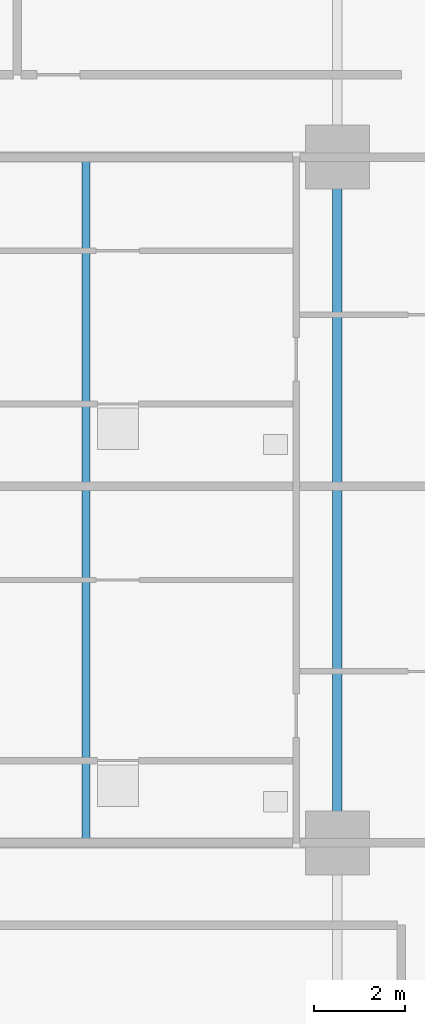
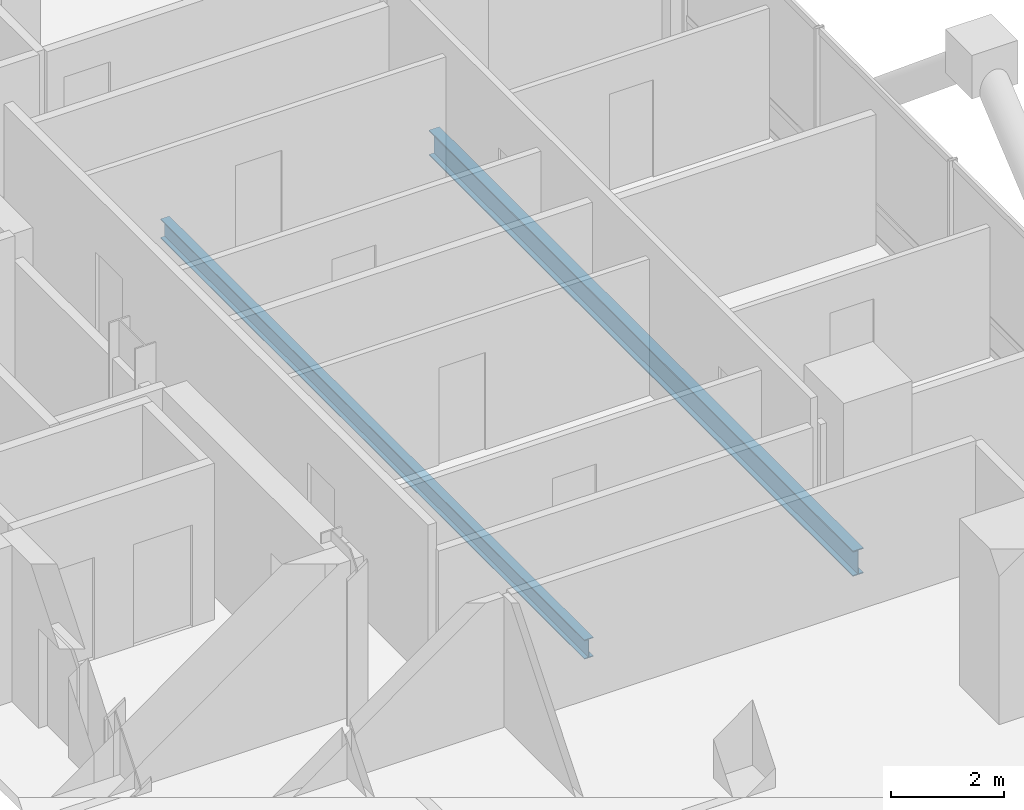
# One storey, part 9 of 23: 2 beams.
"""IFC4 building model written with IfcOpenShell, lengths in metres."""

from ifc_helpers import new_model, si_unit, direction, frame, origin, origin_2d, place, context, subcontext, project, spatial, i_section, extrude, material, material_profile, profile_set, type_object, element, save


model = new_model("IFC4")

# Units and contexts
model_context = context("Model", 3, precision=1e-05, world=origin(), true_north=direction((0.0, 1.0)))
body_context = subcontext(model_context, "Body", "Model", "MODEL_VIEW")
ifc_project = project(units=[si_unit("LENGTHUNIT", "METRE"), si_unit("AREAUNIT", "SQUARE_METRE"), si_unit("VOLUMEUNIT", "CUBIC_METRE"), si_unit("PLANEANGLEUNIT", "RADIAN"), si_unit("MASSUNIT", "GRAM", prefix="KILO")], contexts=[model_context])

# Site, building, storey
site_placement = place(None, origin())
site = spatial("IfcSite", under=ifc_project, at=site_placement, CompositionType="ELEMENT")
building_placement = place(site_placement, origin())
building = spatial("IfcBuilding", under=site, at=building_placement, Name="Barlavira Tower and Art Museum", CompositionType="ELEMENT")
storey_placement = place(building_placement, frame((0.0, 0.0, 68.39990234375)))
storey = spatial("IfcBuildingStorey", under=building, at=storey_placement, Name="L16", CompositionType="ELEMENT", Elevation=68.39990234375)

# Beams
ifc_material = material(Name="Steel S355", Category="steel")
ifc_material_profile_1 = material_profile(ifc_material, i_section(OverallWidth=0.180908203125, OverallDepth=0.4169921875, WebThickness=0.010986328125, FlangeThickness=0.018310546875, at=origin_2d()), Name="W410x85.0")
ifc_profile_set_1 = profile_set([ifc_material_profile_1], Name="Steel S355")
beam_type_1 = type_object("IfcBeamType", Name="Zone 1 Composite Floor Joist W410x85 Steel S355", PredefinedType="JOIST", material=ifc_profile_set_1)
beam_1_placement = place(storey_placement, frame((11.5, -7.5, -0.428466796875), z_axis=(0.0, 1.0, 0.0), x_axis=(-1.0, 0.0, 0.0)))
element("IfcBeam", 1, at=beam_1_placement, inside=storey, type_object=beam_type_1, Name="L16 Joist W2", PredefinedType="JOIST", context=body_context, shape_type="SweptSolid", body=[
    extrude(i_section(OverallWidth=0.180908203125, OverallDepth=0.4169921875, WebThickness=0.010986328125, FlangeThickness=0.018310546875, at=origin_2d()), origin(), (0.0, 0.0, 1.0), 15.0),
])
ifc_material_profile_2 = material_profile(ifc_material, i_section(OverallWidth=0.214111328125, OverallDepth=0.549072265625, WebThickness=0.0146484375, FlangeThickness=0.023681640625, at=origin_2d()), Name="W530x138.0")
ifc_profile_set_2 = profile_set([ifc_material_profile_2], Name="Steel S355")
beam_type_2 = type_object("IfcBeamType", Name="Zone 1 Primary Floor Girder W530x138 Steel S355", PredefinedType="BEAM", material=ifc_profile_set_2)
beam_2_placement = place(storey_placement, frame((17.0, -7.5, -0.494384765625), z_axis=(0.0, 1.0, 0.0), x_axis=(-1.0, 0.0, 0.0)))
element("IfcBeam", 2, at=beam_2_placement, inside=storey, type_object=beam_type_2, Name="L16 Girder M-E2", PredefinedType="BEAM", context=body_context, shape_type="SweptSolid", body=[
    extrude(i_section(OverallWidth=0.214111328125, OverallDepth=0.549072265625, WebThickness=0.0146484375, FlangeThickness=0.023681640625, at=origin_2d()), origin(), (0.0, 0.0, 1.0), 15.0),
])

save(model, "model.ifc")
